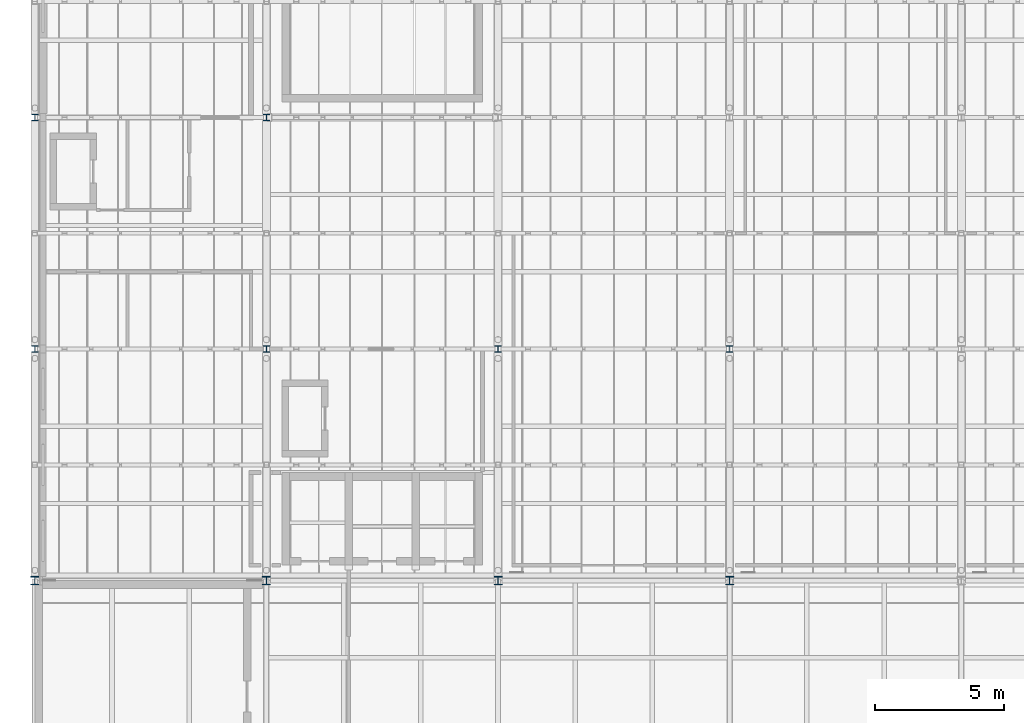
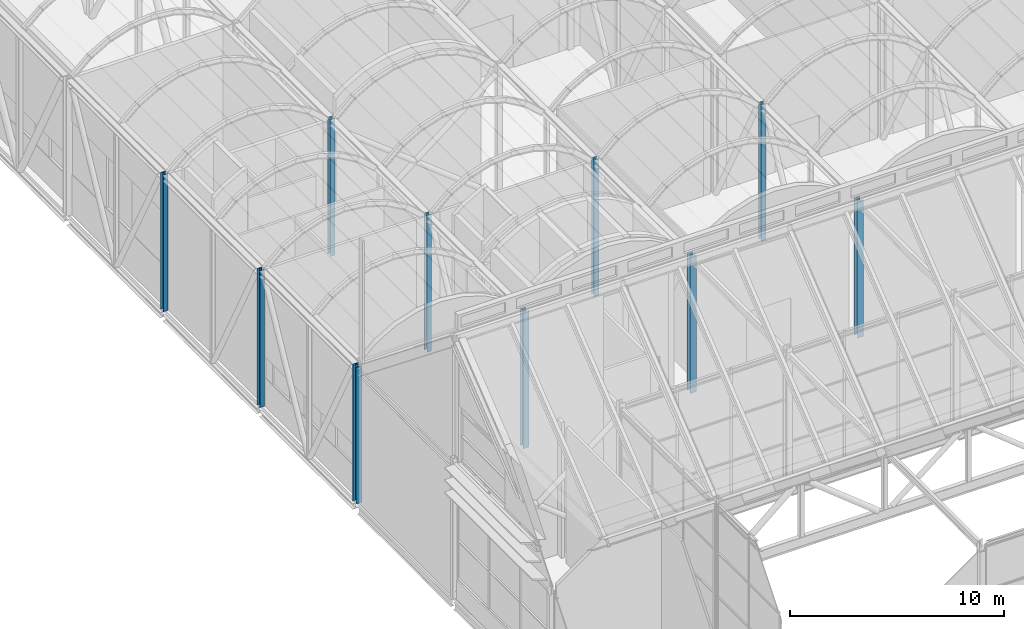
# One storey, part 5 of 144: 10 columns.
"""IFC4 building model written with IfcOpenShell, lengths in metres."""

from ifc_helpers import new_model, si_unit, direction, frame, origin, origin_2d, place, context, subcontext, project, spatial, i_section, extrude, material, material_profile, profile_set, type_object, element, save


model = new_model("IFC4")

# Units and contexts
model_context = context("Model", 3, precision=1e-05, world=origin(), true_north=direction((0.0, 1.0)))
body_context = subcontext(model_context, "Body", "Model", "MODEL_VIEW")
ifc_project = project(units=[si_unit("LENGTHUNIT", "METRE"), si_unit("AREAUNIT", "SQUARE_METRE"), si_unit("VOLUMEUNIT", "CUBIC_METRE"), si_unit("PLANEANGLEUNIT", "RADIAN"), si_unit("MASSUNIT", "GRAM", prefix="KILO")], contexts=[model_context])

# Site, building, storey
site_placement = place(None, origin())
site = spatial("IfcSite", under=ifc_project, at=site_placement, CompositionType="ELEMENT")
building_placement = place(site_placement, origin())
building = spatial("IfcBuilding", under=site, at=building_placement, Name="Shorebreak Coast Museum", CompositionType="ELEMENT")
storey_placement = place(building_placement, frame((0.0, 0.0, 36.0)))
storey = spatial("IfcBuildingStorey", under=building, at=storey_placement, Name="L06", CompositionType="ELEMENT", Elevation=36.0)

# Columns
ifc_material_1 = material(Name="Steel Grade 300", Category="steel")
ifc_material_profile_1 = material_profile(ifc_material_1, i_section(OverallWidth=0.25390625, OverallDepth=0.25390625, WebThickness=0.008544921875, FlangeThickness=0.01416015625, FilletRadius=0.013916015625, at=origin_2d()), Name="250UC72.9")
ifc_profile_set_1 = profile_set([ifc_material_profile_1], Name="Steel Grade 300")
column_type_1 = type_object("IfcColumnType", Name="Column 250UC72.9", PredefinedType="COLUMN", material=ifc_profile_set_1)
for number, where, z_axis, x_axis, name in (
    (1, (54.0, 99.0, 0.0), (0.0, 0.0, 1.0), (1.0, 0.0, 0.0), "Column L06 7M"),
    (2, (63.0, 99.0, 0.0), (0.0, 0.0, 1.0), (1.0, 0.0, 0.0), "Column L06 8M"),
    (3, (72.0, 99.0, 0.0), (0.0, 0.0, 1.0), (1.0, 0.0, 0.0), "Column L06 9M"),
    (4, (81.0, 99.0, 0.0), (0.0, 0.0, 1.0), (1.0, 0.0, 0.0), "Column L06 10M"),
    (5, (54.0, 108.0, 0.0), (0.0, 0.0, 1.0), (1.0, 0.0, 0.0), "Column L06 7N"),
    (6, (63.0, 108.0, 0.0), (0.0, 0.0, 1.0), (1.0, 0.0, 0.0), "Column L06 8N"),
):
    element("IfcColumn", number, at=place(storey_placement, frame(where, z_axis=z_axis, x_axis=x_axis)), inside=storey, type_object=column_type_1, Name=name, PredefinedType="COLUMN", context=body_context, shape_type="SweptSolid", body=[
        extrude(i_section(OverallWidth=0.25390625, OverallDepth=0.25390625, WebThickness=0.008544921875, FlangeThickness=0.01416015625, FilletRadius=0.013916015625, at=origin_2d()), origin(), (0.0, 0.0, 1.0), 7.784912109375),
    ])
ifc_material_2 = material(Name="Steel Grade 300", Category="steel")
ifc_material_profile_2 = material_profile(ifc_material_2, i_section(OverallWidth=0.31103515625, OverallDepth=0.3271484375, WebThickness=0.015625, FlangeThickness=0.02490234375, FilletRadius=0.0166015625, at=origin_2d()), Name="310UC158")
ifc_profile_set_2 = profile_set([ifc_material_profile_2], Name="Steel Grade 300")
column_type_2 = type_object("IfcColumnType", Name="Column 310UC158", PredefinedType="COLUMN", material=ifc_profile_set_2)
for number, where, z_axis, x_axis, name in (
    (7, (54.0, 90.0, 0.0), (0.0, 0.0, 1.0), (1.0, 0.0, 0.0), "Column L06 7L"),
    (8, (63.0, 90.0, 0.0), (0.0, 0.0, 1.0), (1.0, 0.0, 0.0), "Column L06 8L"),
    (9, (72.0, 90.0, 0.0), (0.0, 0.0, 1.0), (1.0, 0.0, 0.0), "Column L06 9L"),
    (10, (81.0, 90.0, 0.0), (0.0, 0.0, 1.0), (1.0, 0.0, 0.0), "Column L06 10L"),
):
    element("IfcColumn", number, at=place(storey_placement, frame(where, z_axis=z_axis, x_axis=x_axis)), inside=storey, type_object=column_type_2, Name=name, PredefinedType="COLUMN", context=body_context, shape_type="SweptSolid", body=[
        extrude(i_section(OverallWidth=0.31103515625, OverallDepth=0.3271484375, WebThickness=0.015625, FlangeThickness=0.02490234375, FilletRadius=0.0166015625, at=origin_2d()), origin(), (0.0, 0.0, 1.0), 7.784912109375),
    ])

save(model, "model.ifc")
